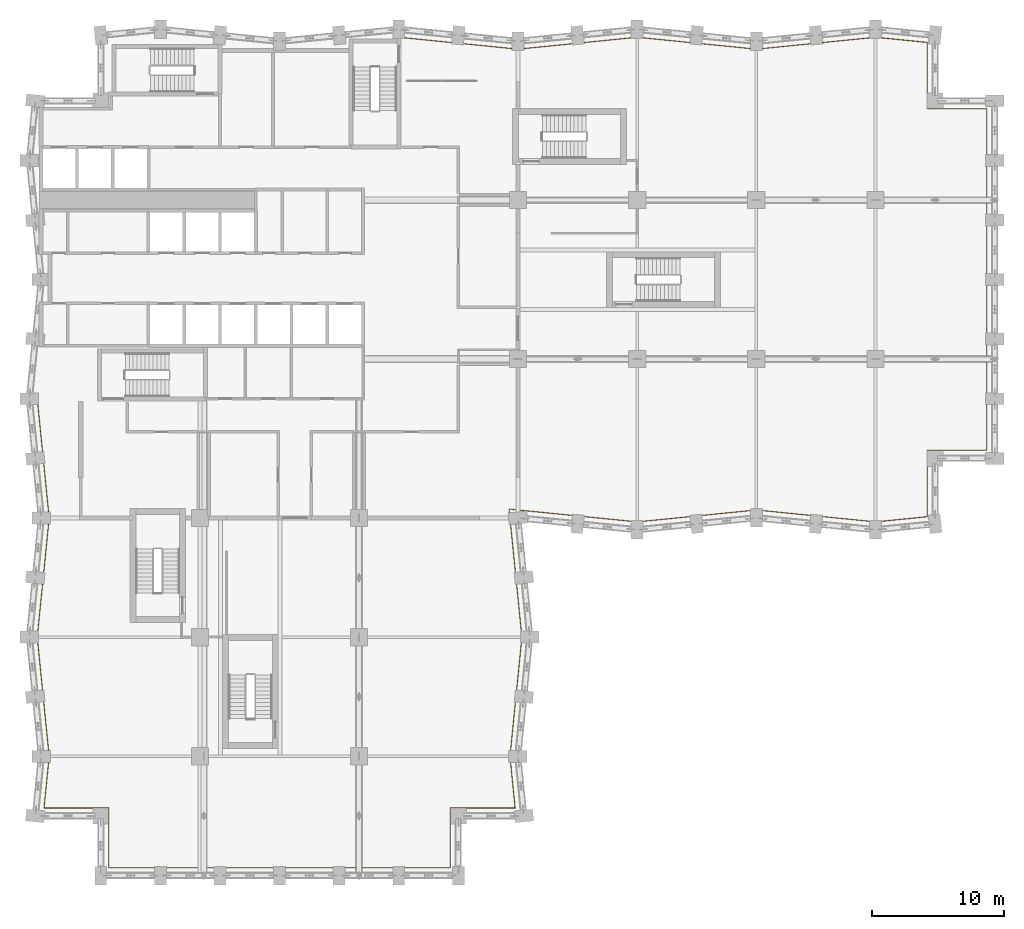
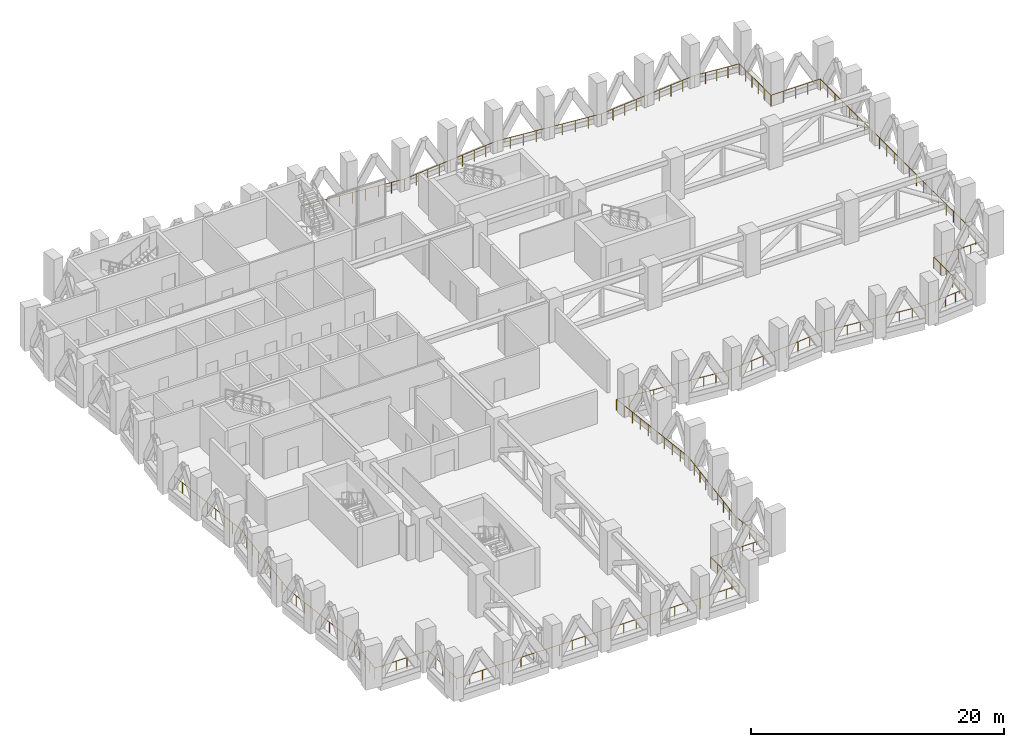
# One storey, part 24 of 25: 1 railing.
"""IFC4 building model written with IfcOpenShell, lengths in metres."""

from ifc_helpers import new_model, si_unit, direction, frame, origin, origin_2d, place, context, subcontext, project, spatial, circle, extrude, material, type_object, element, save


model = new_model("IFC4")

# Units and contexts
model_context = context("Model", 3, precision=1e-05, world=origin(), true_north=direction((0.0, 1.0)))
body_context = subcontext(model_context, "Body", "Model", "MODEL_VIEW")
ifc_project = project(units=[si_unit("LENGTHUNIT", "METRE"), si_unit("AREAUNIT", "SQUARE_METRE"), si_unit("VOLUMEUNIT", "CUBIC_METRE"), si_unit("PLANEANGLEUNIT", "RADIAN"), si_unit("MASSUNIT", "GRAM", prefix="KILO")], contexts=[model_context])

# Site, building, storey
site_placement = place(None, origin())
site = spatial("IfcSite", under=ifc_project, at=site_placement, CompositionType="ELEMENT")
building_placement = place(site_placement, origin())
building = spatial("IfcBuilding", under=site, at=building_placement, Name="Brondeck Convention Tower", CompositionType="ELEMENT")
storey_placement = place(building_placement, frame((0.0, 0.0, 84.300048828125)))
storey = spatial("IfcBuildingStorey", under=building, at=storey_placement, Name="L19", CompositionType="ELEMENT", Elevation=84.300048828125)

# Railing
ifc_material = material(Name="Steel S355, bronze painted", Category="steel")
railing_type = type_object("IfcRailingType", Name="Band guard, bronze steel rail and posts", PredefinedType="GUARDRAIL", material=ifc_material)
railing_placement = place(storey_placement, frame((-0.297119140625, 36.0, 0.0)))
element("IfcRailing", 1, at=railing_placement, inside=storey, type_object=railing_type, Name="ENV-BG-L19-1", PredefinedType="GUARDRAIL", context=body_context, shape_type="SweptSolid", body=[
    extrude(circle(Radius=0.02490234375, at=origin_2d()), frame((0.0, 0.0, 1.0751953125), z_axis=(0.0995197539, -0.995035586592, 0.0), x_axis=(0.995035586592, 0.0995197539, 0.0)), (0.0, 0.0, 1.0), 9.044921875),
    extrude(circle(Radius=0.02490234375, at=origin_2d()), frame((0.900146484375, -9.0, 1.0751953125), z_axis=(-0.0995197539, -0.995035586592, 0.0), x_axis=(0.995035586592, -0.0995197539, 0.0)), (0.0, 0.0, 1.0), 9.044921875),
    extrude(circle(Radius=0.02490234375, at=origin_2d()), frame((0.0, -18.0, 1.0751953125), z_axis=(0.0995197539, -0.995035586592, 0.0), x_axis=(0.995035586592, 0.0995197539, 0.0)), (0.0, 0.0, 1.0), 9.044921875),
    extrude(circle(Radius=0.02490234375, at=origin_2d()), frame((0.900146484375, -27.0, 1.0751953125), z_axis=(-0.099540723397, -0.995033489077, 0.0), x_axis=(0.995033489077, -0.099540723397, 0.0)), (0.0, 0.0, 1.0), 3.91943359375),
    extrude(circle(Radius=0.02490234375, at=origin_2d()), frame((0.510009765625, -30.89990234375, 1.0751953125), z_axis=(1.0, 0.0, 0.0), x_axis=(0.0, 1.0, 0.0)), (0.0, 0.0, 1.0), 4.88720703125),
    extrude(circle(Radius=0.02490234375, at=origin_2d()), frame((5.397216796875, -30.89990234375, 1.0751953125), z_axis=(0.0, -1.0, 0.0), x_axis=(1.0, 0.0, 0.0)), (0.0, 0.0, 1.0), 4.5),
    extrude(circle(Radius=0.02490234375, at=origin_2d()), frame((5.397216796875, -35.39990234375, 1.0751953125), z_axis=(1.0, 0.0, 0.0), x_axis=(0.0, 1.0, 0.0)), (0.0, 0.0, 1.0), 25.7998046875),
    extrude(circle(Radius=0.02490234375, at=origin_2d()), frame((31.197021484375, -35.39990234375, 1.0751953125), z_axis=(0.0, 1.0, 0.0), x_axis=(-1.0, 0.0, 0.0)), (0.0, 0.0, 1.0), 4.5),
    extrude(circle(Radius=0.02490234375, at=origin_2d()), frame((31.197021484375, -30.89990234375, 1.0751953125), z_axis=(1.0, 0.0, 0.0), x_axis=(0.0, 1.0, 0.0)), (0.0, 0.0, 1.0), 4.88720703125),
    extrude(circle(Radius=0.02490234375, at=origin_2d()), frame((36.084228515625, -30.89990234375, 1.0751953125), z_axis=(-0.099540723397, 0.995033489077, 0.0), x_axis=(-0.995033489077, -0.099540723397, 0.0)), (0.0, 0.0, 1.0), 3.91943359375),
    extrude(circle(Radius=0.02490234375, at=origin_2d()), frame((35.694091796875, -27.0, 1.0751953125), z_axis=(0.0995197539, 0.995035586592, 0.0), x_axis=(-0.995035586592, 0.0995197539, 0.0)), (0.0, 0.0, 1.0), 9.044921875),
    extrude(circle(Radius=0.02490234375, at=origin_2d()), frame((36.59423828125, -18.0, 1.0751953125), z_axis=(-0.099508693696, 0.99503669273, 0.0), x_axis=(-0.99503669273, -0.099508693696, 0.0)), (0.0, 0.0, 1.0), 9.71826171875),
    extrude(circle(Radius=0.02490234375, at=origin_2d()), frame((35.627197265625, -8.330078125, 1.0751953125), z_axis=(0.99503669273, -0.099508693696, 0.0), x_axis=(0.099508693696, 0.99503669273, 0.0)), (0.0, 0.0, 1.0), 9.71826171875),
    extrude(circle(Radius=0.02490234375, at=origin_2d()), frame((45.297119140625, -9.297119140625, 1.0751953125), z_axis=(0.995035586592, 0.0995197539, 0.0), x_axis=(-0.0995197539, 0.995035586592, 0.0)), (0.0, 0.0, 1.0), 9.044921875),
    extrude(circle(Radius=0.02490234375, at=origin_2d()), frame((54.297119140625, -8.39697265625, 1.0751953125), z_axis=(0.995035586592, -0.0995197539, 0.0), x_axis=(0.0995197539, 0.995035586592, 0.0)), (0.0, 0.0, 1.0), 9.044921875),
    extrude(circle(Radius=0.02490234375, at=origin_2d()), frame((63.297119140625, -9.297119140625, 1.0751953125), z_axis=(0.995033489077, 0.099540723397, 0.0), x_axis=(-0.099540723397, 0.995033489077, 0.0)), (0.0, 0.0, 1.0), 3.91943359375),
    extrude(circle(Radius=0.02490234375, at=origin_2d()), frame((67.197021484375, -8.906982421875, 1.0751953125), z_axis=(0.0, 1.0, 0.0), x_axis=(-1.0, 0.0, 0.0)), (0.0, 0.0, 1.0), 5.007080078125),
    extrude(circle(Radius=0.02490234375, at=origin_2d()), frame((67.197021484375, -3.89990234375, 1.0751953125), z_axis=(1.0, 0.0, 0.0), x_axis=(0.0, 1.0, 0.0)), (0.0, 0.0, 1.0), 4.5),
    extrude(circle(Radius=0.02490234375, at=origin_2d()), frame((71.697021484375, -3.89990234375, 1.0751953125), z_axis=(0.0, 1.0, 0.0), x_axis=(-1.0, 0.0, 0.0)), (0.0, 0.0, 1.0), 25.7998046875),
    extrude(circle(Radius=0.02490234375, at=origin_2d()), frame((71.697021484375, 21.89990234375, 1.0751953125), z_axis=(-1.0, 0.0, 0.0), x_axis=(0.0, -1.0, 0.0)), (0.0, 0.0, 1.0), 4.5),
    extrude(circle(Radius=0.02490234375, at=origin_2d()), frame((67.197021484375, 21.89990234375, 1.0751953125), z_axis=(0.0, 1.0, 0.0), x_axis=(-1.0, 0.0, 0.0)), (0.0, 0.0, 1.0), 5.007080078125),
    extrude(circle(Radius=0.02490234375, at=origin_2d()), frame((67.197021484375, 26.906982421875, 1.0751953125), z_axis=(-0.995033489077, 0.099540723397, 0.0), x_axis=(-0.099540723397, -0.995033489077, 0.0)), (0.0, 0.0, 1.0), 3.91943359375),
    extrude(circle(Radius=0.02490234375, at=origin_2d()), frame((63.297119140625, 27.297119140625, 1.0751953125), z_axis=(-0.995035586592, -0.0995197539, 0.0), x_axis=(0.0995197539, -0.995035586592, 0.0)), (0.0, 0.0, 1.0), 9.044921875),
    extrude(circle(Radius=0.02490234375, at=origin_2d()), frame((54.297119140625, 26.39697265625, 1.0751953125), z_axis=(-0.995035586592, 0.0995197539, 0.0), x_axis=(-0.0995197539, -0.995035586592, 0.0)), (0.0, 0.0, 1.0), 9.044921875),
    extrude(circle(Radius=0.02490234375, at=origin_2d()), frame((45.297119140625, 27.297119140625, 1.0751953125), z_axis=(-0.995035586592, -0.0995197539, 0.0), x_axis=(0.0995197539, -0.995035586592, 0.0)), (0.0, 0.0, 1.0), 9.044921875),
    extrude(circle(Radius=0.02490234375, at=origin_2d()), frame((36.297119140625, 26.39697265625, 1.0751953125), z_axis=(-0.995035586592, 0.0995197539, 0.0), x_axis=(-0.0995197539, -0.995035586592, 0.0)), (0.0, 0.0, 1.0), 9.044921875),
    extrude(circle(Radius=0.02490234375, at=origin_2d()), origin(), (0.0, 0.0, 1.0), 1.050048828125),
    extrude(circle(Radius=0.02490234375, at=origin_2d()), frame((0.112548828125, -1.125, 0.0)), (0.0, 0.0, 1.0), 1.050048828125),
    extrude(circle(Radius=0.02490234375, at=origin_2d()), frame((0.22509765625, -2.25, 0.0)), (0.0, 0.0, 1.0), 1.050048828125),
    extrude(circle(Radius=0.02490234375, at=origin_2d()), frame((0.337646484375, -3.375, 0.0)), (0.0, 0.0, 1.0), 1.050048828125),
    extrude(circle(Radius=0.02490234375, at=origin_2d()), frame((0.4501953125, -4.5, 0.0)), (0.0, 0.0, 1.0), 1.050048828125),
    extrude(circle(Radius=0.02490234375, at=origin_2d()), frame((0.5625, -5.625, 0.0)), (0.0, 0.0, 1.0), 1.050048828125),
    extrude(circle(Radius=0.02490234375, at=origin_2d()), frame((0.675048828125, -6.75, 0.0)), (0.0, 0.0, 1.0), 1.050048828125),
    extrude(circle(Radius=0.02490234375, at=origin_2d()), frame((0.78759765625, -7.875, 0.0)), (0.0, 0.0, 1.0), 1.050048828125),
    extrude(circle(Radius=0.02490234375, at=origin_2d()), frame((0.900146484375, -9.0, 0.0)), (0.0, 0.0, 1.0), 1.050048828125),
    extrude(circle(Radius=0.02490234375, at=origin_2d()), frame((0.78759765625, -10.125, 0.0)), (0.0, 0.0, 1.0), 1.050048828125),
    extrude(circle(Radius=0.02490234375, at=origin_2d()), frame((0.675048828125, -11.25, 0.0)), (0.0, 0.0, 1.0), 1.050048828125),
    extrude(circle(Radius=0.02490234375, at=origin_2d()), frame((0.5625, -12.375, 0.0)), (0.0, 0.0, 1.0), 1.050048828125),
    extrude(circle(Radius=0.02490234375, at=origin_2d()), frame((0.4501953125, -13.5, 0.0)), (0.0, 0.0, 1.0), 1.050048828125),
    extrude(circle(Radius=0.02490234375, at=origin_2d()), frame((0.337646484375, -14.625, 0.0)), (0.0, 0.0, 1.0), 1.050048828125),
    extrude(circle(Radius=0.02490234375, at=origin_2d()), frame((0.22509765625, -15.75, 0.0)), (0.0, 0.0, 1.0), 1.050048828125),
    extrude(circle(Radius=0.02490234375, at=origin_2d()), frame((0.112548828125, -16.875, 0.0)), (0.0, 0.0, 1.0), 1.050048828125),
    extrude(circle(Radius=0.02490234375, at=origin_2d()), frame((0.0, -18.0, 0.0)), (0.0, 0.0, 1.0), 1.050048828125),
    extrude(circle(Radius=0.02490234375, at=origin_2d()), frame((0.112548828125, -19.125, 0.0)), (0.0, 0.0, 1.0), 1.050048828125),
    extrude(circle(Radius=0.02490234375, at=origin_2d()), frame((0.22509765625, -20.25, 0.0)), (0.0, 0.0, 1.0), 1.050048828125),
    extrude(circle(Radius=0.02490234375, at=origin_2d()), frame((0.337646484375, -21.375, 0.0)), (0.0, 0.0, 1.0), 1.050048828125),
    extrude(circle(Radius=0.02490234375, at=origin_2d()), frame((0.4501953125, -22.5, 0.0)), (0.0, 0.0, 1.0), 1.050048828125),
    extrude(circle(Radius=0.02490234375, at=origin_2d()), frame((0.5625, -23.625, 0.0)), (0.0, 0.0, 1.0), 1.050048828125),
    extrude(circle(Radius=0.02490234375, at=origin_2d()), frame((0.675048828125, -24.75, 0.0)), (0.0, 0.0, 1.0), 1.050048828125),
    extrude(circle(Radius=0.02490234375, at=origin_2d()), frame((0.78759765625, -25.875, 0.0)), (0.0, 0.0, 1.0), 1.050048828125),
    extrude(circle(Radius=0.02490234375, at=origin_2d()), frame((0.900146484375, -27.0, 0.0)), (0.0, 0.0, 1.0), 1.050048828125),
    extrude(circle(Radius=0.02490234375, at=origin_2d()), frame((0.802734375, -27.97509765625, 0.0)), (0.0, 0.0, 1.0), 1.050048828125),
    extrude(circle(Radius=0.02490234375, at=origin_2d()), frame((0.705078125, -28.949951171875, 0.0)), (0.0, 0.0, 1.0), 1.050048828125),
    extrude(circle(Radius=0.02490234375, at=origin_2d()), frame((0.607421875, -29.9248046875, 0.0)), (0.0, 0.0, 1.0), 1.050048828125),
    extrude(circle(Radius=0.02490234375, at=origin_2d()), frame((0.510009765625, -30.89990234375, 0.0)), (0.0, 0.0, 1.0), 1.050048828125),
    extrude(circle(Radius=0.02490234375, at=origin_2d()), frame((1.487548828125, -30.89990234375, 0.0)), (0.0, 0.0, 1.0), 1.050048828125),
    extrude(circle(Radius=0.02490234375, at=origin_2d()), frame((2.46484375, -30.89990234375, 0.0)), (0.0, 0.0, 1.0), 1.050048828125),
    extrude(circle(Radius=0.02490234375, at=origin_2d()), frame((3.4423828125, -30.89990234375, 0.0)), (0.0, 0.0, 1.0), 1.050048828125),
    extrude(circle(Radius=0.02490234375, at=origin_2d()), frame((4.419677734375, -30.89990234375, 0.0)), (0.0, 0.0, 1.0), 1.050048828125),
    extrude(circle(Radius=0.02490234375, at=origin_2d()), frame((5.397216796875, -30.89990234375, 0.0)), (0.0, 0.0, 1.0), 1.050048828125),
    extrude(circle(Radius=0.02490234375, at=origin_2d()), frame((5.397216796875, -32.02490234375, 0.0)), (0.0, 0.0, 1.0), 1.050048828125),
    extrude(circle(Radius=0.02490234375, at=origin_2d()), frame((5.397216796875, -33.14990234375, 0.0)), (0.0, 0.0, 1.0), 1.050048828125),
    extrude(circle(Radius=0.02490234375, at=origin_2d()), frame((5.397216796875, -34.27490234375, 0.0)), (0.0, 0.0, 1.0), 1.050048828125),
    extrude(circle(Radius=0.02490234375, at=origin_2d()), frame((5.397216796875, -35.39990234375, 0.0)), (0.0, 0.0, 1.0), 1.050048828125),
    extrude(circle(Radius=0.02490234375, at=origin_2d()), frame((6.56982421875, -35.39990234375, 0.0)), (0.0, 0.0, 1.0), 1.050048828125),
    extrude(circle(Radius=0.02490234375, at=origin_2d()), frame((7.74267578125, -35.39990234375, 0.0)), (0.0, 0.0, 1.0), 1.050048828125),
    extrude(circle(Radius=0.02490234375, at=origin_2d()), frame((8.915283203125, -35.39990234375, 0.0)), (0.0, 0.0, 1.0), 1.050048828125),
    extrude(circle(Radius=0.02490234375, at=origin_2d()), frame((10.088134765625, -35.39990234375, 0.0)), (0.0, 0.0, 1.0), 1.050048828125),
    extrude(circle(Radius=0.02490234375, at=origin_2d()), frame((11.2607421875, -35.39990234375, 0.0)), (0.0, 0.0, 1.0), 1.050048828125),
    extrude(circle(Radius=0.02490234375, at=origin_2d()), frame((12.43359375, -35.39990234375, 0.0)), (0.0, 0.0, 1.0), 1.050048828125),
    extrude(circle(Radius=0.02490234375, at=origin_2d()), frame((13.606201171875, -35.39990234375, 0.0)), (0.0, 0.0, 1.0), 1.050048828125),
    extrude(circle(Radius=0.02490234375, at=origin_2d()), frame((14.779052734375, -35.39990234375, 0.0)), (0.0, 0.0, 1.0), 1.050048828125),
    extrude(circle(Radius=0.02490234375, at=origin_2d()), frame((15.95166015625, -35.39990234375, 0.0)), (0.0, 0.0, 1.0), 1.050048828125),
    extrude(circle(Radius=0.02490234375, at=origin_2d()), frame((17.12451171875, -35.39990234375, 0.0)), (0.0, 0.0, 1.0), 1.050048828125),
    extrude(circle(Radius=0.02490234375, at=origin_2d()), frame((18.297119140625, -35.39990234375, 0.0)), (0.0, 0.0, 1.0), 1.050048828125),
    extrude(circle(Radius=0.02490234375, at=origin_2d()), frame((19.4697265625, -35.39990234375, 0.0)), (0.0, 0.0, 1.0), 1.050048828125),
    extrude(circle(Radius=0.02490234375, at=origin_2d()), frame((20.642578125, -35.39990234375, 0.0)), (0.0, 0.0, 1.0), 1.050048828125),
    extrude(circle(Radius=0.02490234375, at=origin_2d()), frame((21.815185546875, -35.39990234375, 0.0)), (0.0, 0.0, 1.0), 1.050048828125),
    extrude(circle(Radius=0.02490234375, at=origin_2d()), frame((22.988037109375, -35.39990234375, 0.0)), (0.0, 0.0, 1.0), 1.050048828125),
    extrude(circle(Radius=0.02490234375, at=origin_2d()), frame((24.16064453125, -35.39990234375, 0.0)), (0.0, 0.0, 1.0), 1.050048828125),
    extrude(circle(Radius=0.02490234375, at=origin_2d()), frame((25.33349609375, -35.39990234375, 0.0)), (0.0, 0.0, 1.0), 1.050048828125),
    extrude(circle(Radius=0.02490234375, at=origin_2d()), frame((26.506103515625, -35.39990234375, 0.0)), (0.0, 0.0, 1.0), 1.050048828125),
    extrude(circle(Radius=0.02490234375, at=origin_2d()), frame((27.678955078125, -35.39990234375, 0.0)), (0.0, 0.0, 1.0), 1.050048828125),
    extrude(circle(Radius=0.02490234375, at=origin_2d()), frame((28.8515625, -35.39990234375, 0.0)), (0.0, 0.0, 1.0), 1.050048828125),
    extrude(circle(Radius=0.02490234375, at=origin_2d()), frame((30.0244140625, -35.39990234375, 0.0)), (0.0, 0.0, 1.0), 1.050048828125),
    extrude(circle(Radius=0.02490234375, at=origin_2d()), frame((31.197021484375, -35.39990234375, 0.0)), (0.0, 0.0, 1.0), 1.050048828125),
    extrude(circle(Radius=0.02490234375, at=origin_2d()), frame((31.197021484375, -34.27490234375, 0.0)), (0.0, 0.0, 1.0), 1.050048828125),
    extrude(circle(Radius=0.02490234375, at=origin_2d()), frame((31.197021484375, -33.14990234375, 0.0)), (0.0, 0.0, 1.0), 1.050048828125),
    extrude(circle(Radius=0.02490234375, at=origin_2d()), frame((31.197021484375, -32.02490234375, 0.0)), (0.0, 0.0, 1.0), 1.050048828125),
    extrude(circle(Radius=0.02490234375, at=origin_2d()), frame((31.197021484375, -30.89990234375, 0.0)), (0.0, 0.0, 1.0), 1.050048828125),
    extrude(circle(Radius=0.02490234375, at=origin_2d()), frame((32.174560546875, -30.89990234375, 0.0)), (0.0, 0.0, 1.0), 1.050048828125),
    extrude(circle(Radius=0.02490234375, at=origin_2d()), frame((33.15185546875, -30.89990234375, 0.0)), (0.0, 0.0, 1.0), 1.050048828125),
    extrude(circle(Radius=0.02490234375, at=origin_2d()), frame((34.12939453125, -30.89990234375, 0.0)), (0.0, 0.0, 1.0), 1.050048828125),
    extrude(circle(Radius=0.02490234375, at=origin_2d()), frame((35.106689453125, -30.89990234375, 0.0)), (0.0, 0.0, 1.0), 1.050048828125),
    extrude(circle(Radius=0.02490234375, at=origin_2d()), frame((36.084228515625, -30.89990234375, 0.0)), (0.0, 0.0, 1.0), 1.050048828125),
    extrude(circle(Radius=0.02490234375, at=origin_2d()), frame((35.98681640625, -29.9248046875, 0.0)), (0.0, 0.0, 1.0), 1.050048828125),
    extrude(circle(Radius=0.02490234375, at=origin_2d()), frame((35.88916015625, -28.949951171875, 0.0)), (0.0, 0.0, 1.0), 1.050048828125),
    extrude(circle(Radius=0.02490234375, at=origin_2d()), frame((35.79150390625, -27.97509765625, 0.0)), (0.0, 0.0, 1.0), 1.050048828125),
    extrude(circle(Radius=0.02490234375, at=origin_2d()), frame((35.694091796875, -27.0, 0.0)), (0.0, 0.0, 1.0), 1.050048828125),
    extrude(circle(Radius=0.02490234375, at=origin_2d()), frame((35.806640625, -25.875, 0.0)), (0.0, 0.0, 1.0), 1.050048828125),
    extrude(circle(Radius=0.02490234375, at=origin_2d()), frame((35.919189453125, -24.75, 0.0)), (0.0, 0.0, 1.0), 1.050048828125),
    extrude(circle(Radius=0.02490234375, at=origin_2d()), frame((36.03173828125, -23.625, 0.0)), (0.0, 0.0, 1.0), 1.050048828125),
    extrude(circle(Radius=0.02490234375, at=origin_2d()), frame((36.14404296875, -22.5, 0.0)), (0.0, 0.0, 1.0), 1.050048828125),
    extrude(circle(Radius=0.02490234375, at=origin_2d()), frame((36.256591796875, -21.375, 0.0)), (0.0, 0.0, 1.0), 1.050048828125),
    extrude(circle(Radius=0.02490234375, at=origin_2d()), frame((36.369140625, -20.25, 0.0)), (0.0, 0.0, 1.0), 1.050048828125),
    extrude(circle(Radius=0.02490234375, at=origin_2d()), frame((36.481689453125, -19.125, 0.0)), (0.0, 0.0, 1.0), 1.050048828125),
    extrude(circle(Radius=0.02490234375, at=origin_2d()), frame((36.59423828125, -18.0, 0.0)), (0.0, 0.0, 1.0), 1.050048828125),
    extrude(circle(Radius=0.02490234375, at=origin_2d()), frame((36.48681640625, -16.925537109375, 0.0)), (0.0, 0.0, 1.0), 1.050048828125),
    extrude(circle(Radius=0.02490234375, at=origin_2d()), frame((36.37939453125, -15.85107421875, 0.0)), (0.0, 0.0, 1.0), 1.050048828125),
    extrude(circle(Radius=0.02490234375, at=origin_2d()), frame((36.27197265625, -14.776611328125, 0.0)), (0.0, 0.0, 1.0), 1.050048828125),
    extrude(circle(Radius=0.02490234375, at=origin_2d()), frame((36.16455078125, -13.7021484375, 0.0)), (0.0, 0.0, 1.0), 1.050048828125),
    extrude(circle(Radius=0.02490234375, at=origin_2d()), frame((36.056884765625, -12.6279296875, 0.0)), (0.0, 0.0, 1.0), 1.050048828125),
    extrude(circle(Radius=0.02490234375, at=origin_2d()), frame((35.949462890625, -11.553466796875, 0.0)), (0.0, 0.0, 1.0), 1.050048828125),
    extrude(circle(Radius=0.02490234375, at=origin_2d()), frame((35.842041015625, -10.47900390625, 0.0)), (0.0, 0.0, 1.0), 1.050048828125),
    extrude(circle(Radius=0.02490234375, at=origin_2d()), frame((35.734619140625, -9.404541015625, 0.0)), (0.0, 0.0, 1.0), 1.050048828125),
    extrude(circle(Radius=0.02490234375, at=origin_2d()), frame((35.627197265625, -8.330078125, 0.0)), (0.0, 0.0, 1.0), 1.050048828125),
    extrude(circle(Radius=0.02490234375, at=origin_2d()), frame((36.70166015625, -8.4375, 0.0)), (0.0, 0.0, 1.0), 1.050048828125),
    extrude(circle(Radius=0.02490234375, at=origin_2d()), frame((37.776123046875, -8.544921875, 0.0)), (0.0, 0.0, 1.0), 1.050048828125),
    extrude(circle(Radius=0.02490234375, at=origin_2d()), frame((38.8505859375, -8.65234375, 0.0)), (0.0, 0.0, 1.0), 1.050048828125),
    extrude(circle(Radius=0.02490234375, at=origin_2d()), frame((39.925048828125, -8.759765625, 0.0)), (0.0, 0.0, 1.0), 1.050048828125),
    extrude(circle(Radius=0.02490234375, at=origin_2d()), frame((40.999267578125, -8.867431640625, 0.0)), (0.0, 0.0, 1.0), 1.050048828125),
    extrude(circle(Radius=0.02490234375, at=origin_2d()), frame((42.07373046875, -8.974853515625, 0.0)), (0.0, 0.0, 1.0), 1.050048828125),
    extrude(circle(Radius=0.02490234375, at=origin_2d()), frame((43.148193359375, -9.082275390625, 0.0)), (0.0, 0.0, 1.0), 1.050048828125),
    extrude(circle(Radius=0.02490234375, at=origin_2d()), frame((44.22265625, -9.189697265625, 0.0)), (0.0, 0.0, 1.0), 1.050048828125),
    extrude(circle(Radius=0.02490234375, at=origin_2d()), frame((45.297119140625, -9.297119140625, 0.0)), (0.0, 0.0, 1.0), 1.050048828125),
    extrude(circle(Radius=0.02490234375, at=origin_2d()), frame((46.422119140625, -9.1845703125, 0.0)), (0.0, 0.0, 1.0), 1.050048828125),
    extrude(circle(Radius=0.02490234375, at=origin_2d()), frame((47.547119140625, -9.072021484375, 0.0)), (0.0, 0.0, 1.0), 1.050048828125),
    extrude(circle(Radius=0.02490234375, at=origin_2d()), frame((48.672119140625, -8.95947265625, 0.0)), (0.0, 0.0, 1.0), 1.050048828125),
    extrude(circle(Radius=0.02490234375, at=origin_2d()), frame((49.797119140625, -8.84716796875, 0.0)), (0.0, 0.0, 1.0), 1.050048828125),
    extrude(circle(Radius=0.02490234375, at=origin_2d()), frame((50.922119140625, -8.734619140625, 0.0)), (0.0, 0.0, 1.0), 1.050048828125),
    extrude(circle(Radius=0.02490234375, at=origin_2d()), frame((52.047119140625, -8.6220703125, 0.0)), (0.0, 0.0, 1.0), 1.050048828125),
    extrude(circle(Radius=0.02490234375, at=origin_2d()), frame((53.172119140625, -8.509521484375, 0.0)), (0.0, 0.0, 1.0), 1.050048828125),
    extrude(circle(Radius=0.02490234375, at=origin_2d()), frame((54.297119140625, -8.39697265625, 0.0)), (0.0, 0.0, 1.0), 1.050048828125),
    extrude(circle(Radius=0.02490234375, at=origin_2d()), frame((55.422119140625, -8.509521484375, 0.0)), (0.0, 0.0, 1.0), 1.050048828125),
    extrude(circle(Radius=0.02490234375, at=origin_2d()), frame((56.547119140625, -8.6220703125, 0.0)), (0.0, 0.0, 1.0), 1.050048828125),
    extrude(circle(Radius=0.02490234375, at=origin_2d()), frame((57.672119140625, -8.734619140625, 0.0)), (0.0, 0.0, 1.0), 1.050048828125),
    extrude(circle(Radius=0.02490234375, at=origin_2d()), frame((58.797119140625, -8.84716796875, 0.0)), (0.0, 0.0, 1.0), 1.050048828125),
    extrude(circle(Radius=0.02490234375, at=origin_2d()), frame((59.922119140625, -8.95947265625, 0.0)), (0.0, 0.0, 1.0), 1.050048828125),
    extrude(circle(Radius=0.02490234375, at=origin_2d()), frame((61.047119140625, -9.072021484375, 0.0)), (0.0, 0.0, 1.0), 1.050048828125),
    extrude(circle(Radius=0.02490234375, at=origin_2d()), frame((62.172119140625, -9.1845703125, 0.0)), (0.0, 0.0, 1.0), 1.050048828125),
    extrude(circle(Radius=0.02490234375, at=origin_2d()), frame((63.297119140625, -9.297119140625, 0.0)), (0.0, 0.0, 1.0), 1.050048828125),
    extrude(circle(Radius=0.02490234375, at=origin_2d()), frame((64.27197265625, -9.19970703125, 0.0)), (0.0, 0.0, 1.0), 1.050048828125),
    extrude(circle(Radius=0.02490234375, at=origin_2d()), frame((65.2470703125, -9.10205078125, 0.0)), (0.0, 0.0, 1.0), 1.050048828125),
    extrude(circle(Radius=0.02490234375, at=origin_2d()), frame((66.22216796875, -9.00439453125, 0.0)), (0.0, 0.0, 1.0), 1.050048828125),
    extrude(circle(Radius=0.02490234375, at=origin_2d()), frame((67.197021484375, -8.906982421875, 0.0)), (0.0, 0.0, 1.0), 1.050048828125),
    extrude(circle(Radius=0.02490234375, at=origin_2d()), frame((67.197021484375, -7.905517578125, 0.0)), (0.0, 0.0, 1.0), 1.050048828125),
    extrude(circle(Radius=0.02490234375, at=origin_2d()), frame((67.197021484375, -6.904052734375, 0.0)), (0.0, 0.0, 1.0), 1.050048828125),
    extrude(circle(Radius=0.02490234375, at=origin_2d()), frame((67.197021484375, -5.90283203125, 0.0)), (0.0, 0.0, 1.0), 1.050048828125),
    extrude(circle(Radius=0.02490234375, at=origin_2d()), frame((67.197021484375, -4.9013671875, 0.0)), (0.0, 0.0, 1.0), 1.050048828125),
    extrude(circle(Radius=0.02490234375, at=origin_2d()), frame((67.197021484375, -3.89990234375, 0.0)), (0.0, 0.0, 1.0), 1.050048828125),
    extrude(circle(Radius=0.02490234375, at=origin_2d()), frame((68.322021484375, -3.89990234375, 0.0)), (0.0, 0.0, 1.0), 1.050048828125),
    extrude(circle(Radius=0.02490234375, at=origin_2d()), frame((69.447021484375, -3.89990234375, 0.0)), (0.0, 0.0, 1.0), 1.050048828125),
    extrude(circle(Radius=0.02490234375, at=origin_2d()), frame((70.572021484375, -3.89990234375, 0.0)), (0.0, 0.0, 1.0), 1.050048828125),
    extrude(circle(Radius=0.02490234375, at=origin_2d()), frame((71.697021484375, -3.89990234375, 0.0)), (0.0, 0.0, 1.0), 1.050048828125),
    extrude(circle(Radius=0.02490234375, at=origin_2d()), frame((71.697021484375, -2.727294921875, 0.0)), (0.0, 0.0, 1.0), 1.050048828125),
    extrude(circle(Radius=0.02490234375, at=origin_2d()), frame((71.697021484375, -1.554443359375, 0.0)), (0.0, 0.0, 1.0), 1.050048828125),
    extrude(circle(Radius=0.02490234375, at=origin_2d()), frame((71.697021484375, -0.3818359375, 0.0)), (0.0, 0.0, 1.0), 1.050048828125),
    extrude(circle(Radius=0.02490234375, at=origin_2d()), frame((71.697021484375, 0.791015625, 0.0)), (0.0, 0.0, 1.0), 1.050048828125),
    extrude(circle(Radius=0.02490234375, at=origin_2d()), frame((71.697021484375, 1.963623046875, 0.0)), (0.0, 0.0, 1.0), 1.050048828125),
    extrude(circle(Radius=0.02490234375, at=origin_2d()), frame((71.697021484375, 3.136474609375, 0.0)), (0.0, 0.0, 1.0), 1.050048828125),
    extrude(circle(Radius=0.02490234375, at=origin_2d()), frame((71.697021484375, 4.30908203125, 0.0)), (0.0, 0.0, 1.0), 1.050048828125),
    extrude(circle(Radius=0.02490234375, at=origin_2d()), frame((71.697021484375, 5.48193359375, 0.0)), (0.0, 0.0, 1.0), 1.050048828125),
    extrude(circle(Radius=0.02490234375, at=origin_2d()), frame((71.697021484375, 6.654541015625, 0.0)), (0.0, 0.0, 1.0), 1.050048828125),
    extrude(circle(Radius=0.02490234375, at=origin_2d()), frame((71.697021484375, 7.827392578125, 0.0)), (0.0, 0.0, 1.0), 1.050048828125),
    extrude(circle(Radius=0.02490234375, at=origin_2d()), frame((71.697021484375, 9.0, 0.0)), (0.0, 0.0, 1.0), 1.050048828125),
    extrude(circle(Radius=0.02490234375, at=origin_2d()), frame((71.697021484375, 10.172607421875, 0.0)), (0.0, 0.0, 1.0), 1.050048828125),
    extrude(circle(Radius=0.02490234375, at=origin_2d()), frame((71.697021484375, 11.345458984375, 0.0)), (0.0, 0.0, 1.0), 1.050048828125),
    extrude(circle(Radius=0.02490234375, at=origin_2d()), frame((71.697021484375, 12.51806640625, 0.0)), (0.0, 0.0, 1.0), 1.050048828125),
    extrude(circle(Radius=0.02490234375, at=origin_2d()), frame((71.697021484375, 13.69091796875, 0.0)), (0.0, 0.0, 1.0), 1.050048828125),
    extrude(circle(Radius=0.02490234375, at=origin_2d()), frame((71.697021484375, 14.863525390625, 0.0)), (0.0, 0.0, 1.0), 1.050048828125),
    extrude(circle(Radius=0.02490234375, at=origin_2d()), frame((71.697021484375, 16.036376953125, 0.0)), (0.0, 0.0, 1.0), 1.050048828125),
    extrude(circle(Radius=0.02490234375, at=origin_2d()), frame((71.697021484375, 17.208984375, 0.0)), (0.0, 0.0, 1.0), 1.050048828125),
    extrude(circle(Radius=0.02490234375, at=origin_2d()), frame((71.697021484375, 18.3818359375, 0.0)), (0.0, 0.0, 1.0), 1.050048828125),
    extrude(circle(Radius=0.02490234375, at=origin_2d()), frame((71.697021484375, 19.554443359375, 0.0)), (0.0, 0.0, 1.0), 1.050048828125),
    extrude(circle(Radius=0.02490234375, at=origin_2d()), frame((71.697021484375, 20.727294921875, 0.0)), (0.0, 0.0, 1.0), 1.050048828125),
    extrude(circle(Radius=0.02490234375, at=origin_2d()), frame((71.697021484375, 21.89990234375, 0.0)), (0.0, 0.0, 1.0), 1.050048828125),
    extrude(circle(Radius=0.02490234375, at=origin_2d()), frame((70.572021484375, 21.89990234375, 0.0)), (0.0, 0.0, 1.0), 1.050048828125),
    extrude(circle(Radius=0.02490234375, at=origin_2d()), frame((69.447021484375, 21.89990234375, 0.0)), (0.0, 0.0, 1.0), 1.050048828125),
    extrude(circle(Radius=0.02490234375, at=origin_2d()), frame((68.322021484375, 21.89990234375, 0.0)), (0.0, 0.0, 1.0), 1.050048828125),
    extrude(circle(Radius=0.02490234375, at=origin_2d()), frame((67.197021484375, 21.89990234375, 0.0)), (0.0, 0.0, 1.0), 1.050048828125),
    extrude(circle(Radius=0.02490234375, at=origin_2d()), frame((67.197021484375, 22.9013671875, 0.0)), (0.0, 0.0, 1.0), 1.050048828125),
    extrude(circle(Radius=0.02490234375, at=origin_2d()), frame((67.197021484375, 23.90283203125, 0.0)), (0.0, 0.0, 1.0), 1.050048828125),
    extrude(circle(Radius=0.02490234375, at=origin_2d()), frame((67.197021484375, 24.904052734375, 0.0)), (0.0, 0.0, 1.0), 1.050048828125),
    extrude(circle(Radius=0.02490234375, at=origin_2d()), frame((67.197021484375, 25.905517578125, 0.0)), (0.0, 0.0, 1.0), 1.050048828125),
    extrude(circle(Radius=0.02490234375, at=origin_2d()), frame((67.197021484375, 26.906982421875, 0.0)), (0.0, 0.0, 1.0), 1.050048828125),
    extrude(circle(Radius=0.02490234375, at=origin_2d()), frame((66.22216796875, 27.00439453125, 0.0)), (0.0, 0.0, 1.0), 1.050048828125),
    extrude(circle(Radius=0.02490234375, at=origin_2d()), frame((65.2470703125, 27.10205078125, 0.0)), (0.0, 0.0, 1.0), 1.050048828125),
    extrude(circle(Radius=0.02490234375, at=origin_2d()), frame((64.27197265625, 27.19970703125, 0.0)), (0.0, 0.0, 1.0), 1.050048828125),
    extrude(circle(Radius=0.02490234375, at=origin_2d()), frame((63.297119140625, 27.297119140625, 0.0)), (0.0, 0.0, 1.0), 1.050048828125),
    extrude(circle(Radius=0.02490234375, at=origin_2d()), frame((62.172119140625, 27.1845703125, 0.0)), (0.0, 0.0, 1.0), 1.050048828125),
    extrude(circle(Radius=0.02490234375, at=origin_2d()), frame((61.047119140625, 27.072021484375, 0.0)), (0.0, 0.0, 1.0), 1.050048828125),
    extrude(circle(Radius=0.02490234375, at=origin_2d()), frame((59.922119140625, 26.95947265625, 0.0)), (0.0, 0.0, 1.0), 1.050048828125),
    extrude(circle(Radius=0.02490234375, at=origin_2d()), frame((58.797119140625, 26.84716796875, 0.0)), (0.0, 0.0, 1.0), 1.050048828125),
    extrude(circle(Radius=0.02490234375, at=origin_2d()), frame((57.672119140625, 26.734619140625, 0.0)), (0.0, 0.0, 1.0), 1.050048828125),
    extrude(circle(Radius=0.02490234375, at=origin_2d()), frame((56.547119140625, 26.6220703125, 0.0)), (0.0, 0.0, 1.0), 1.050048828125),
    extrude(circle(Radius=0.02490234375, at=origin_2d()), frame((55.422119140625, 26.509521484375, 0.0)), (0.0, 0.0, 1.0), 1.050048828125),
    extrude(circle(Radius=0.02490234375, at=origin_2d()), frame((54.297119140625, 26.39697265625, 0.0)), (0.0, 0.0, 1.0), 1.050048828125),
    extrude(circle(Radius=0.02490234375, at=origin_2d()), frame((53.172119140625, 26.509521484375, 0.0)), (0.0, 0.0, 1.0), 1.050048828125),
    extrude(circle(Radius=0.02490234375, at=origin_2d()), frame((52.047119140625, 26.6220703125, 0.0)), (0.0, 0.0, 1.0), 1.050048828125),
    extrude(circle(Radius=0.02490234375, at=origin_2d()), frame((50.922119140625, 26.734619140625, 0.0)), (0.0, 0.0, 1.0), 1.050048828125),
    extrude(circle(Radius=0.02490234375, at=origin_2d()), frame((49.797119140625, 26.84716796875, 0.0)), (0.0, 0.0, 1.0), 1.050048828125),
    extrude(circle(Radius=0.02490234375, at=origin_2d()), frame((48.672119140625, 26.95947265625, 0.0)), (0.0, 0.0, 1.0), 1.050048828125),
    extrude(circle(Radius=0.02490234375, at=origin_2d()), frame((47.547119140625, 27.072021484375, 0.0)), (0.0, 0.0, 1.0), 1.050048828125),
    extrude(circle(Radius=0.02490234375, at=origin_2d()), frame((46.422119140625, 27.1845703125, 0.0)), (0.0, 0.0, 1.0), 1.050048828125),
    extrude(circle(Radius=0.02490234375, at=origin_2d()), frame((45.297119140625, 27.297119140625, 0.0)), (0.0, 0.0, 1.0), 1.050048828125),
    extrude(circle(Radius=0.02490234375, at=origin_2d()), frame((44.172119140625, 27.1845703125, 0.0)), (0.0, 0.0, 1.0), 1.050048828125),
    extrude(circle(Radius=0.02490234375, at=origin_2d()), frame((43.047119140625, 27.072021484375, 0.0)), (0.0, 0.0, 1.0), 1.050048828125),
    extrude(circle(Radius=0.02490234375, at=origin_2d()), frame((41.922119140625, 26.95947265625, 0.0)), (0.0, 0.0, 1.0), 1.050048828125),
    extrude(circle(Radius=0.02490234375, at=origin_2d()), frame((40.797119140625, 26.84716796875, 0.0)), (0.0, 0.0, 1.0), 1.050048828125),
    extrude(circle(Radius=0.02490234375, at=origin_2d()), frame((39.672119140625, 26.734619140625, 0.0)), (0.0, 0.0, 1.0), 1.050048828125),
    extrude(circle(Radius=0.02490234375, at=origin_2d()), frame((38.547119140625, 26.6220703125, 0.0)), (0.0, 0.0, 1.0), 1.050048828125),
    extrude(circle(Radius=0.02490234375, at=origin_2d()), frame((37.422119140625, 26.509521484375, 0.0)), (0.0, 0.0, 1.0), 1.050048828125),
    extrude(circle(Radius=0.02490234375, at=origin_2d()), frame((36.297119140625, 26.39697265625, 0.0)), (0.0, 0.0, 1.0), 1.050048828125),
    extrude(circle(Radius=0.02490234375, at=origin_2d()), frame((35.172119140625, 26.509521484375, 0.0)), (0.0, 0.0, 1.0), 1.050048828125),
    extrude(circle(Radius=0.02490234375, at=origin_2d()), frame((34.047119140625, 26.6220703125, 0.0)), (0.0, 0.0, 1.0), 1.050048828125),
    extrude(circle(Radius=0.02490234375, at=origin_2d()), frame((32.922119140625, 26.734619140625, 0.0)), (0.0, 0.0, 1.0), 1.050048828125),
    extrude(circle(Radius=0.02490234375, at=origin_2d()), frame((31.797119140625, 26.84716796875, 0.0)), (0.0, 0.0, 1.0), 1.050048828125),
    extrude(circle(Radius=0.02490234375, at=origin_2d()), frame((30.672119140625, 26.95947265625, 0.0)), (0.0, 0.0, 1.0), 1.050048828125),
    extrude(circle(Radius=0.02490234375, at=origin_2d()), frame((29.547119140625, 27.072021484375, 0.0)), (0.0, 0.0, 1.0), 1.050048828125),
    extrude(circle(Radius=0.02490234375, at=origin_2d()), frame((28.422119140625, 27.1845703125, 0.0)), (0.0, 0.0, 1.0), 1.050048828125),
    extrude(circle(Radius=0.02490234375, at=origin_2d()), frame((27.297119140625, 27.297119140625, 0.0)), (0.0, 0.0, 1.0), 1.050048828125),
])

save(model, "model.ifc")
